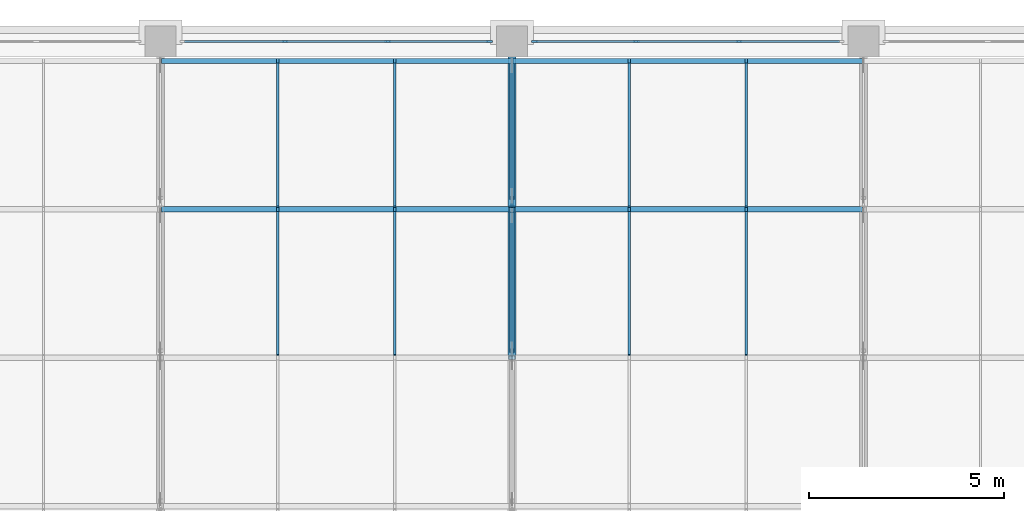
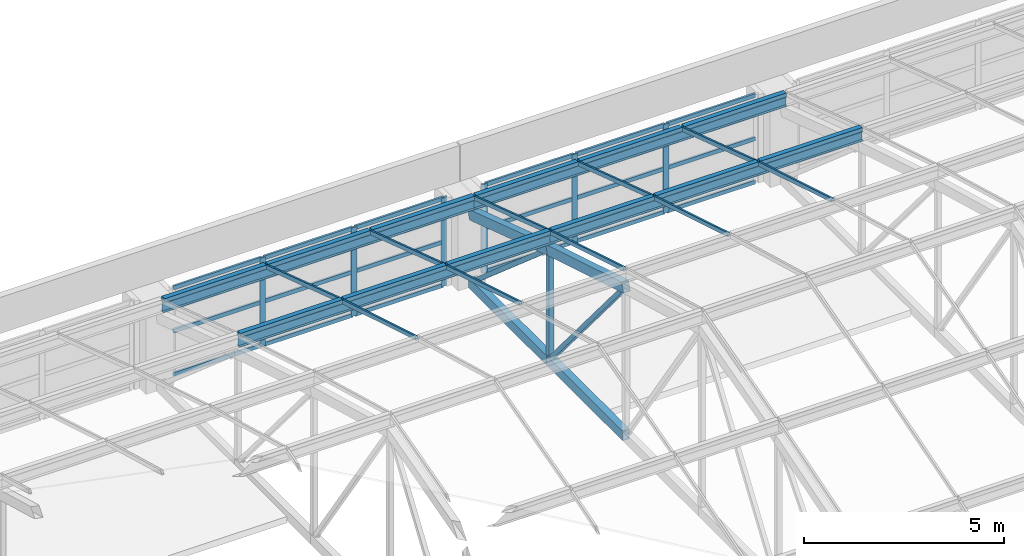
# One storey, part 15 of 82: 57 members, 3 elements without a shape of their own.
"""IFC4 building model written with IfcOpenShell, lengths in metres."""

import ifcopenshell
import ifcopenshell.guid

model = None  # the IFC model being written
_history = None  # IfcOwnerHistory: only IFC2X3 demands one
_inside = {}  # id of a spatial element -> (the spatial element, [elements in it])
_under = {}  # id of a project, library or spatial element -> (it, [spatial elements below it])
_declared = {}  # id of a project -> (the project, [libraries it declares])
_typed = {}  # id of a type object -> (the type object, [elements of that type])
_made_of = {}  # id of a material, layer set ... -> (it, [elements and type objects made of it])


def new_model(schema):
    """Start an empty IFC model of exactly this schema.

    Asked for "IFC4X3", IfcOpenShell would pick the latest addendum, in which some entities
    have other attributes; the version numbers below select the first issue.
    IFC2X3 requires an IfcOwnerHistory on every rooted entity: one is made here for all.
    """
    global model, _history
    if schema == "IFC4X3":
        model = ifcopenshell.file(schema_version=(4, 3, 0, 0))
    else:
        model = ifcopenshell.file(schema=schema)
    _inside.clear()
    _under.clear()
    _declared.clear()
    _typed.clear()
    _made_of.clear()
    _history = None
    if model.schema == "IFC2X3":
        org = make("IfcOrganization", Name="unknown")
        user = make(
            "IfcPersonAndOrganization",
            ThePerson=make("IfcPerson", FamilyName="unknown"),
            TheOrganization=org,
        )
        app = make(
            "IfcApplication",
            ApplicationDeveloper=org,
            Version="unknown",
            ApplicationFullName="unknown",
            ApplicationIdentifier="unknown",
        )
        _history = make(
            "IfcOwnerHistory",
            OwningUser=user,
            OwningApplication=app,
            ChangeAction="ADDED",
            CreationDate=0,
        )
    return model


def make(cls, **values):
    """One entity of the class cls with the attributes given. An attribute that is None is left unset."""
    return model.create_entity(
        cls, **{name: value for name, value in values.items() if value is not None}
    )


def rooted(cls, **values):
    """An entity with a GlobalId (a new one), such as an element, a storey or a relation."""
    return make(cls, GlobalId=ifcopenshell.guid.new(), OwnerHistory=_history, **values)


def si_unit(unit_type, name, prefix=None):
    """IfcSIUnit, for example si_unit("LENGTHUNIT", "METRE", prefix="MILLI")."""
    return make("IfcSIUnit", UnitType=unit_type, Prefix=prefix, Name=name)


def assignment(units):
    """IfcUnitAssignment: the units of a project."""
    return None if units is None else make("IfcUnitAssignment", Units=units)


def point(xyz):
    """IfcCartesianPoint."""
    return None if xyz is None else make("IfcCartesianPoint", Coordinates=xyz)


def direction(xyz):
    """IfcDirection."""
    return None if xyz is None else make("IfcDirection", DirectionRatios=xyz)


def frame(location, z_axis=None, x_axis=None):
    """IfcAxis2Placement3D, a coordinate frame: its origin and axes. An axis left out is left unset."""
    return make(
        "IfcAxis2Placement3D",
        Location=point(location),
        Axis=direction(z_axis),
        RefDirection=direction(x_axis),
    )


def frame_2d(location, x_axis=None):
    """IfcAxis2Placement2D, a coordinate frame in the plane: its origin and x axis."""
    return make(
        "IfcAxis2Placement2D", Location=point(location), RefDirection=direction(x_axis)
    )


def origin():
    """The frame at (0, 0, 0) with its axes left unset."""
    return frame((0.0, 0.0, 0.0))


def origin_2d():
    """The frame at (0, 0) in the plane with its x axis left unset."""
    return frame_2d((0.0, 0.0))


def place(relative_to, where):
    """IfcLocalPlacement: puts the frame where relative to a parent placement (None: the world)."""
    return make(
        "IfcLocalPlacement", PlacementRelTo=relative_to, RelativePlacement=where
    )


def context(
    kind, dimensions, precision=None, world=None, true_north=None, identifier=None
):
    """IfcGeometricRepresentationContext, for example the 3D "Model" context."""
    return make(
        "IfcGeometricRepresentationContext",
        ContextIdentifier=identifier,
        ContextType=kind,
        CoordinateSpaceDimension=dimensions,
        Precision=precision,
        WorldCoordinateSystem=world,
        TrueNorth=true_north,
    )


def subcontext(parent, identifier, kind, view, scale=None):
    """IfcGeometricRepresentationSubContext, for example "Body" below "Model"."""
    return make(
        "IfcGeometricRepresentationSubContext",
        ContextIdentifier=identifier,
        ContextType=kind,
        ParentContext=parent,
        TargetScale=scale,
        TargetView=view,
    )


def project(units=None, contexts=None):
    """IfcProject with its units and contexts."""
    return rooted(
        "IfcProject",
        Name="project",
        RepresentationContexts=contexts,
        UnitsInContext=assignment(units),
    )


def spatial(cls, under=None, at=None, **own):
    """A site, building, storey or space (cls), placed at a placement, below another one or the project."""
    s = rooted(cls, ObjectPlacement=at, **own)
    if under is not None:
        _under.setdefault(under.id(), (under, []))[1].append(s)
    return s


def profile(cls, at=None, kind="AREA", **sizes):
    """A parametric profile (cls). Its sizes go by their IFC names, for example OverallWidth=200.0."""
    return make(cls, ProfileType=kind, Position=at, **sizes)


def rectangle(**sizes):
    """IfcRectangleProfileDef."""
    return profile("IfcRectangleProfileDef", **sizes)


def hollow_rectangle(**sizes):
    """IfcRectangleHollowProfileDef."""
    return profile("IfcRectangleHollowProfileDef", **sizes)


def i_section(**sizes):
    """IfcIShapeProfileDef."""
    return profile("IfcIShapeProfileDef", **sizes)


def extrude(swept, where, along, depth):
    """IfcExtrudedAreaSolid: the profile swept, set in the frame where, extruded along a direction by depth."""
    return make(
        "IfcExtrudedAreaSolid",
        SweptArea=swept,
        Position=where,
        ExtrudedDirection=direction(along),
        Depth=depth,
    )


def shape(context_of_items, identifier, shape_type, items):
    """IfcShapeRepresentation: the items that make up one representation, for example the "Body"."""
    return make(
        "IfcShapeRepresentation",
        ContextOfItems=context_of_items,
        RepresentationIdentifier=identifier,
        RepresentationType=shape_type,
        Items=items,
    )


def material(Name=None, Category=None):
    """IfcMaterial."""
    return make("IfcMaterial", Name=Name, Category=Category)


def material_profile(
    of_material, cross_section, Name=None, Category=None, Priority=None
):
    """IfcMaterialProfile: a cross section and its material."""
    return make(
        "IfcMaterialProfile",
        Name=Name,
        Material=of_material,
        Profile=cross_section,
        Priority=Priority,
        Category=Category,
    )


def profile_set(profiles, Name=None, composite=None):
    """IfcMaterialProfileSet."""
    return make(
        "IfcMaterialProfileSet",
        Name=Name,
        MaterialProfiles=profiles,
        CompositeProfile=composite,
    )


def made_of(thing, what):
    """Note that an element or type object is made of a material, layer set ...; save() writes the relation."""
    if what is not None:
        _made_of.setdefault(what.id(), (what, []))[1].append(thing)
    return thing


def type_object(cls, material=None, **own):
    """A type object (cls), such as IfcWallType, which elements share."""
    return made_of(rooted(cls, **own), material)


def element(
    cls,
    number,
    at=None,
    inside=None,
    cuts=None,
    type_object=None,
    material=None,
    context=None,
    identifier="Body",
    shape_type=None,
    held_by="IfcProductDefinitionShape",
    body=None,
    shapes=None,
    **own,
):
    """One element of the class cls, such as IfcWall. Its Tag is "e" and its number.

    at: its placement. inside: the storey or other place that contains it. cuts: it is an
    opening in that element (IfcRelVoidsElement). A single representation is given by context,
    identifier, shape_type and body (its items); several are given by shapes. held_by: the class
    of the entity that holds the representations. save() writes the other relations.
    """
    e = rooted(cls, Tag="e%d" % number, ObjectPlacement=at, **own)
    if body is not None:
        shapes = [shape(context, identifier, shape_type, body)]
    if shapes is not None:
        e.Representation = make(held_by, Representations=shapes)
    if inside is not None:
        _inside.setdefault(inside.id(), (inside, []))[1].append(e)
    if cuts is not None:
        rooted(
            "IfcRelVoidsElement", RelatingBuildingElement=cuts, RelatedOpeningElement=e
        )
    if type_object is not None:
        _typed.setdefault(type_object.id(), (type_object, []))[1].append(e)
    return made_of(e, material)


def aggregate(whole, parts):
    """IfcRelAggregates: a whole, such as a stair, and the parts it consists of."""
    return rooted("IfcRelAggregates", RelatingObject=whole, RelatedObjects=parts)


def save(model, path):
    """Write the relations noted so far, then the file.

    IfcRelAggregates (storeys below a building ...), IfcRelContainedInSpatialStructure (elements
    in a storey), IfcRelDefinesByType, IfcRelAssociatesMaterial and IfcRelDeclares: one each for
    every whole, place, type object, material and project.
    """
    for whole, parts in _under.values():
        aggregate(whole, parts)
    for where, things in _inside.values():
        rooted(
            "IfcRelContainedInSpatialStructure",
            RelatedElements=things,
            RelatingStructure=where,
        )
    for kind, things in _typed.values():
        rooted("IfcRelDefinesByType", RelatedObjects=things, RelatingType=kind)
    for what, things in _made_of.values():
        rooted("IfcRelAssociatesMaterial", RelatedObjects=things, RelatingMaterial=what)
    for by, libraries in _declared.values():
        rooted("IfcRelDeclares", RelatingContext=by, RelatedDefinitions=libraries)
    model.write(path)


model = new_model("IFC4")

# Units and contexts
model_context = context("Model", 3, precision=1e-05, world=origin(), true_north=direction((0.0, 1.0)))
body_context = subcontext(model_context, "Body", "Model", "MODEL_VIEW")
ifc_project = project(units=[si_unit("LENGTHUNIT", "METRE"), si_unit("AREAUNIT", "SQUARE_METRE"), si_unit("VOLUMEUNIT", "CUBIC_METRE"), si_unit("PLANEANGLEUNIT", "RADIAN"), si_unit("MASSUNIT", "GRAM", prefix="KILO")], contexts=[model_context])

# Site, building, storey
site_placement = place(None, origin())
site = spatial("IfcSite", under=ifc_project, at=site_placement, CompositionType="ELEMENT")
building_placement = place(site_placement, origin())
building = spatial("IfcBuilding", under=site, at=building_placement, Name="Aravalli Gate Trade Fair Centre", CompositionType="ELEMENT")
storey_placement = place(building_placement, frame((0.0, 0.0, 19.199951171875)))
storey = spatial("IfcBuildingStorey", under=building, at=storey_placement, Name="L04", CompositionType="ELEMENT", Elevation=19.199951171875)

# Curtain wall, members
ifc_material_1 = material(Name="Aluminium and glass", Category="aluminium")
curtain_wall_type_1 = type_object("IfcCurtainWallType", Name="Curtain wall 3000 module", PredefinedType="NOTDEFINED", material=ifc_material_1)
curtain_wall_1_placement = place(storey_placement, origin())
curtain_wall_1 = element("IfcCurtainWall", 1, at=curtain_wall_1_placement, inside=storey, type_object=curtain_wall_type_1, Name="Curtain wall north bay 5 L04", PredefinedType="NOTDEFINED")
ifc_material_2 = material(Name="Aluminium", Category="aluminium")
ifc_material_profile_1 = material_profile(ifc_material_2, rectangle(XDim=0.06005859375, YDim=0.159912109375, at=origin_2d()), Name="Concourse curtain wall mullion 60 x 160")
ifc_profile_set_1 = profile_set([ifc_material_profile_1], Name="Aluminium")
member_type_1 = type_object("IfcMemberType", Name="Concourse curtain wall mullion 60 x 160", PredefinedType="MULLION", material=ifc_profile_set_1)
member_1_placement = place(storey_placement, frame((45.183349609375, 133.0, 0.0), z_axis=(0.0, 0.0, 1.0), x_axis=(0.0, 1.0, 0.0)))
member_1 = element("IfcMember", 2, at=member_1_placement, type_object=member_type_1, Name="CW1 mullion 2", PredefinedType="MULLION", context=body_context, shape_type="SweptSolid", body=[
    extrude(rectangle(XDim=0.06005859375, YDim=0.159912109375, at=origin_2d()), origin(), (0.0, 0.0, 1.0), 2.699951171875),
])
member_2_placement = place(storey_placement, frame((47.816650390625, 133.0, 0.0), z_axis=(0.0, 0.0, 1.0), x_axis=(0.0, 1.0, 0.0)))
member_2 = element("IfcMember", 3, at=member_2_placement, type_object=member_type_1, Name="CW1 mullion 3", PredefinedType="MULLION", context=body_context, shape_type="SweptSolid", body=[
    extrude(rectangle(XDim=0.06005859375, YDim=0.159912109375, at=origin_2d()), origin(), (0.0, 0.0, 1.0), 2.699951171875),
])
member_3_placement = place(storey_placement, frame((50.419921875, 133.0, 0.0), z_axis=(0.0, 0.0, 1.0), x_axis=(0.0, 1.0, 0.0)))
member_3 = element("IfcMember", 4, at=member_3_placement, type_object=member_type_1, Name="CW1 mullion 4", PredefinedType="MULLION", context=body_context, shape_type="SweptSolid", body=[
    extrude(rectangle(XDim=0.06005859375, YDim=0.159912109375, at=origin_2d()), origin(), (0.0, 0.0, 1.0), 2.699951171875),
])

curtain_wall_2_placement = place(storey_placement, origin())
curtain_wall_2 = element("IfcCurtainWall", 5, at=curtain_wall_2_placement, inside=storey, type_object=curtain_wall_type_1, Name="Curtain wall north bay 6 L04", PredefinedType="NOTDEFINED")
member_4_placement = place(storey_placement, frame((51.580078125, 133.0, 0.0), z_axis=(0.0, 0.0, 1.0), x_axis=(0.0, 1.0, 0.0)))
member_4 = element("IfcMember", 6, at=member_4_placement, type_object=member_type_1, Name="CW1 mullion 1", PredefinedType="MULLION", context=body_context, shape_type="SweptSolid", body=[
    extrude(rectangle(XDim=0.06005859375, YDim=0.159912109375, at=origin_2d()), origin(), (0.0, 0.0, 1.0), 2.699951171875),
])
member_5_placement = place(storey_placement, frame((54.183349609375, 133.0, 0.0), z_axis=(0.0, 0.0, 1.0), x_axis=(0.0, 1.0, 0.0)))
member_5 = element("IfcMember", 7, at=member_5_placement, type_object=member_type_1, Name="CW1 mullion 2", PredefinedType="MULLION", context=body_context, shape_type="SweptSolid", body=[
    extrude(rectangle(XDim=0.06005859375, YDim=0.159912109375, at=origin_2d()), origin(), (0.0, 0.0, 1.0), 2.699951171875),
])
member_6_placement = place(storey_placement, frame((56.816650390625, 133.0, 0.0), z_axis=(0.0, 0.0, 1.0), x_axis=(0.0, 1.0, 0.0)))
member_6 = element("IfcMember", 8, at=member_6_placement, type_object=member_type_1, Name="CW1 mullion 3", PredefinedType="MULLION", context=body_context, shape_type="SweptSolid", body=[
    extrude(rectangle(XDim=0.06005859375, YDim=0.159912109375, at=origin_2d()), origin(), (0.0, 0.0, 1.0), 2.699951171875),
])

# Member
ifc_material_profile_2 = material_profile(ifc_material_2, rectangle(XDim=0.06005859375, YDim=0.1201171875, at=origin_2d()), Name="Concourse curtain wall transom 60 x 120")
ifc_profile_set_2 = profile_set([ifc_material_profile_2], Name="Aluminium")
member_type_2 = type_object("IfcMemberType", Name="Concourse curtain wall transom 60 x 120", PredefinedType="USERDEFINED", material=ifc_profile_set_2)
member_7_placement = place(storey_placement, frame((42.610107421875, 133.0, 0.030029296875), z_axis=(1.0, 0.0, 0.0), x_axis=(0.0, 1.0, 0.0)))
member_7 = element("IfcMember", 9, at=member_7_placement, type_object=member_type_2, Name="CW1 transom 1.1", ObjectType="TRANSOM", PredefinedType="USERDEFINED", context=body_context, shape_type="SweptSolid", body=[
    extrude(rectangle(XDim=0.06005859375, YDim=0.1201171875, at=origin_2d()), origin(), (0.0, 0.0, 1.0), 2.543212890625),
])

member_8_placement = place(storey_placement, frame((42.610107421875, 133.0, 1.35009765625), z_axis=(1.0, 0.0, 0.0), x_axis=(0.0, 1.0, 0.0)))
member_8 = element("IfcMember", 10, at=member_8_placement, type_object=member_type_2, Name="CW1 transom 1.2", ObjectType="TRANSOM", PredefinedType="USERDEFINED", context=body_context, shape_type="SweptSolid", body=[
    extrude(rectangle(XDim=0.06005859375, YDim=0.1201171875, at=origin_2d()), origin(), (0.0, 0.0, 1.0), 2.543212890625),
])

member_9_placement = place(storey_placement, frame((42.610107421875, 133.0, 2.670166015625), z_axis=(1.0, 0.0, 0.0), x_axis=(0.0, 1.0, 0.0)))
member_9 = element("IfcMember", 11, at=member_9_placement, type_object=member_type_2, Name="CW1 transom 1.3", ObjectType="TRANSOM", PredefinedType="USERDEFINED", context=body_context, shape_type="SweptSolid", body=[
    extrude(rectangle(XDim=0.06005859375, YDim=0.1201171875, at=origin_2d()), origin(), (0.0, 0.0, 1.0), 2.543212890625),
])

member_10_placement = place(storey_placement, frame((45.21337890625, 133.0, 0.030029296875), z_axis=(1.0, 0.0, 0.0), x_axis=(0.0, 1.0, 0.0)))
member_10 = element("IfcMember", 12, at=member_10_placement, type_object=member_type_2, Name="CW1 transom 2.1", ObjectType="TRANSOM", PredefinedType="USERDEFINED", context=body_context, shape_type="SweptSolid", body=[
    extrude(rectangle(XDim=0.06005859375, YDim=0.1201171875, at=origin_2d()), origin(), (0.0, 0.0, 1.0), 2.5732421875),
])

member_11_placement = place(storey_placement, frame((45.21337890625, 133.0, 1.35009765625), z_axis=(1.0, 0.0, 0.0), x_axis=(0.0, 1.0, 0.0)))
member_11 = element("IfcMember", 13, at=member_11_placement, type_object=member_type_2, Name="CW1 transom 2.2", ObjectType="TRANSOM", PredefinedType="USERDEFINED", context=body_context, shape_type="SweptSolid", body=[
    extrude(rectangle(XDim=0.06005859375, YDim=0.1201171875, at=origin_2d()), origin(), (0.0, 0.0, 1.0), 2.5732421875),
])

member_12_placement = place(storey_placement, frame((45.21337890625, 133.0, 2.670166015625), z_axis=(1.0, 0.0, 0.0), x_axis=(0.0, 1.0, 0.0)))
member_12 = element("IfcMember", 14, at=member_12_placement, type_object=member_type_2, Name="CW1 transom 2.3", ObjectType="TRANSOM", PredefinedType="USERDEFINED", context=body_context, shape_type="SweptSolid", body=[
    extrude(rectangle(XDim=0.06005859375, YDim=0.1201171875, at=origin_2d()), origin(), (0.0, 0.0, 1.0), 2.5732421875),
])

member_13_placement = place(storey_placement, frame((47.8466796875, 133.0, 0.030029296875), z_axis=(1.0, 0.0, 0.0), x_axis=(0.0, 1.0, 0.0)))
member_13 = element("IfcMember", 15, at=member_13_placement, type_object=member_type_2, Name="CW1 transom 3.1", ObjectType="TRANSOM", PredefinedType="USERDEFINED", context=body_context, shape_type="SweptSolid", body=[
    extrude(rectangle(XDim=0.06005859375, YDim=0.1201171875, at=origin_2d()), origin(), (0.0, 0.0, 1.0), 2.543212890625),
])

member_14_placement = place(storey_placement, frame((47.8466796875, 133.0, 1.35009765625), z_axis=(1.0, 0.0, 0.0), x_axis=(0.0, 1.0, 0.0)))
member_14 = element("IfcMember", 16, at=member_14_placement, type_object=member_type_2, Name="CW1 transom 3.2", ObjectType="TRANSOM", PredefinedType="USERDEFINED", context=body_context, shape_type="SweptSolid", body=[
    extrude(rectangle(XDim=0.06005859375, YDim=0.1201171875, at=origin_2d()), origin(), (0.0, 0.0, 1.0), 2.543212890625),
])

member_15_placement = place(storey_placement, frame((47.8466796875, 133.0, 2.670166015625), z_axis=(1.0, 0.0, 0.0), x_axis=(0.0, 1.0, 0.0)))
member_15 = element("IfcMember", 17, at=member_15_placement, type_object=member_type_2, Name="CW1 transom 3.3", ObjectType="TRANSOM", PredefinedType="USERDEFINED", context=body_context, shape_type="SweptSolid", body=[
    extrude(rectangle(XDim=0.06005859375, YDim=0.1201171875, at=origin_2d()), origin(), (0.0, 0.0, 1.0), 2.543212890625),
])

aggregate(curtain_wall_1, [member_1, member_2, member_3, member_7, member_8, member_9, member_10, member_11, member_12, member_13, member_14, member_15])

member_16_placement = place(storey_placement, frame((51.610107421875, 133.0, 0.030029296875), z_axis=(1.0, 0.0, 0.0), x_axis=(0.0, 1.0, 0.0)))
member_16 = element("IfcMember", 18, at=member_16_placement, type_object=member_type_2, Name="CW1 transom 1.1", ObjectType="TRANSOM", PredefinedType="USERDEFINED", context=body_context, shape_type="SweptSolid", body=[
    extrude(rectangle(XDim=0.06005859375, YDim=0.1201171875, at=origin_2d()), origin(), (0.0, 0.0, 1.0), 2.543212890625),
])

member_17_placement = place(storey_placement, frame((51.610107421875, 133.0, 1.35009765625), z_axis=(1.0, 0.0, 0.0), x_axis=(0.0, 1.0, 0.0)))
member_17 = element("IfcMember", 19, at=member_17_placement, type_object=member_type_2, Name="CW1 transom 1.2", ObjectType="TRANSOM", PredefinedType="USERDEFINED", context=body_context, shape_type="SweptSolid", body=[
    extrude(rectangle(XDim=0.06005859375, YDim=0.1201171875, at=origin_2d()), origin(), (0.0, 0.0, 1.0), 2.543212890625),
])

member_18_placement = place(storey_placement, frame((51.610107421875, 133.0, 2.670166015625), z_axis=(1.0, 0.0, 0.0), x_axis=(0.0, 1.0, 0.0)))
member_18 = element("IfcMember", 20, at=member_18_placement, type_object=member_type_2, Name="CW1 transom 1.3", ObjectType="TRANSOM", PredefinedType="USERDEFINED", context=body_context, shape_type="SweptSolid", body=[
    extrude(rectangle(XDim=0.06005859375, YDim=0.1201171875, at=origin_2d()), origin(), (0.0, 0.0, 1.0), 2.543212890625),
])

member_19_placement = place(storey_placement, frame((54.21337890625, 133.0, 0.030029296875), z_axis=(1.0, 0.0, 0.0), x_axis=(0.0, 1.0, 0.0)))
member_19 = element("IfcMember", 21, at=member_19_placement, type_object=member_type_2, Name="CW1 transom 2.1", ObjectType="TRANSOM", PredefinedType="USERDEFINED", context=body_context, shape_type="SweptSolid", body=[
    extrude(rectangle(XDim=0.06005859375, YDim=0.1201171875, at=origin_2d()), origin(), (0.0, 0.0, 1.0), 2.5732421875),
])

member_20_placement = place(storey_placement, frame((54.21337890625, 133.0, 1.35009765625), z_axis=(1.0, 0.0, 0.0), x_axis=(0.0, 1.0, 0.0)))
member_20 = element("IfcMember", 22, at=member_20_placement, type_object=member_type_2, Name="CW1 transom 2.2", ObjectType="TRANSOM", PredefinedType="USERDEFINED", context=body_context, shape_type="SweptSolid", body=[
    extrude(rectangle(XDim=0.06005859375, YDim=0.1201171875, at=origin_2d()), origin(), (0.0, 0.0, 1.0), 2.5732421875),
])

member_21_placement = place(storey_placement, frame((54.21337890625, 133.0, 2.670166015625), z_axis=(1.0, 0.0, 0.0), x_axis=(0.0, 1.0, 0.0)))
member_21 = element("IfcMember", 23, at=member_21_placement, type_object=member_type_2, Name="CW1 transom 2.3", ObjectType="TRANSOM", PredefinedType="USERDEFINED", context=body_context, shape_type="SweptSolid", body=[
    extrude(rectangle(XDim=0.06005859375, YDim=0.1201171875, at=origin_2d()), origin(), (0.0, 0.0, 1.0), 2.5732421875),
])

member_22_placement = place(storey_placement, frame((56.8466796875, 133.0, 0.030029296875), z_axis=(1.0, 0.0, 0.0), x_axis=(0.0, 1.0, 0.0)))
member_22 = element("IfcMember", 24, at=member_22_placement, type_object=member_type_2, Name="CW1 transom 3.1", ObjectType="TRANSOM", PredefinedType="USERDEFINED", context=body_context, shape_type="SweptSolid", body=[
    extrude(rectangle(XDim=0.06005859375, YDim=0.1201171875, at=origin_2d()), origin(), (0.0, 0.0, 1.0), 2.543212890625),
])

member_23_placement = place(storey_placement, frame((56.8466796875, 133.0, 1.35009765625), z_axis=(1.0, 0.0, 0.0), x_axis=(0.0, 1.0, 0.0)))
member_23 = element("IfcMember", 25, at=member_23_placement, type_object=member_type_2, Name="CW1 transom 3.2", ObjectType="TRANSOM", PredefinedType="USERDEFINED", context=body_context, shape_type="SweptSolid", body=[
    extrude(rectangle(XDim=0.06005859375, YDim=0.1201171875, at=origin_2d()), origin(), (0.0, 0.0, 1.0), 2.543212890625),
])

member_24_placement = place(storey_placement, frame((56.8466796875, 133.0, 2.670166015625), z_axis=(1.0, 0.0, 0.0), x_axis=(0.0, 1.0, 0.0)))
member_24 = element("IfcMember", 26, at=member_24_placement, type_object=member_type_2, Name="CW1 transom 3.3", ObjectType="TRANSOM", PredefinedType="USERDEFINED", context=body_context, shape_type="SweptSolid", body=[
    extrude(rectangle(XDim=0.06005859375, YDim=0.1201171875, at=origin_2d()), origin(), (0.0, 0.0, 1.0), 2.543212890625),
])

aggregate(curtain_wall_2, [member_4, member_5, member_6, member_16, member_17, member_18, member_19, member_20, member_21, member_22, member_23, member_24])

# Members
ifc_material_3 = material(Name="Steel E350", Category="steel")
ifc_material_profile_3 = material_profile(ifc_material_3, i_section(OverallWidth=0.139892578125, OverallDepth=0.300048828125, WebThickness=0.0078125, FlangeThickness=0.01318359375, at=origin_2d()), Name="ISMB 300")
ifc_profile_set_3 = profile_set([ifc_material_profile_3], Name="Steel E350")
member_type_3 = type_object("IfcMemberType", Name="ISMB 300 roof purlin", PredefinedType="PURLIN", material=ifc_profile_set_3)
for number, where, z_axis, x_axis, name in (
    (27, (42.0, 128.699951171875, 3.851318359375), (1.0, 0.0, 0.0), (0.0, 1.0, 0.0), "Vault purlin 05-06 F5"),
    (28, (42.0, 132.5, 2.60302734375), (1.0, 0.0, 0.0), (0.0, 1.0, 0.0), "Vault purlin 05-06 F6"),
    (29, (51.0, 128.699951171875, 3.851318359375), (1.0, 0.0, 0.0), (0.0, 1.0, 0.0), "Vault purlin 06-07 F5"),
    (30, (51.0, 132.5, 2.60302734375), (1.0, 0.0, 0.0), (0.0, 1.0, 0.0), "Vault purlin 06-07 F6"),
):
    element("IfcMember", number, at=place(storey_placement, frame(where, z_axis=z_axis, x_axis=x_axis)), inside=storey, type_object=member_type_3, Name=name, PredefinedType="PURLIN", context=body_context, shape_type="SweptSolid", body=[
        extrude(i_section(OverallWidth=0.139892578125, OverallDepth=0.300048828125, WebThickness=0.0078125, FlangeThickness=0.01318359375, at=origin_2d()), origin(), (0.0, 0.0, 1.0), 9.0),
    ])
ifc_material_profile_4 = material_profile(ifc_material_3, hollow_rectangle(XDim=0.199951171875, YDim=0.300048828125, WallThickness=0.011962890625, at=origin_2d()), Name="RHS 300x200x12")
ifc_profile_set_4 = profile_set([ifc_material_profile_4], Name="Steel E350")
member_type_4 = type_object("IfcMemberType", Name="RHS 300x200x12 CT1 truss chord", PredefinedType="CHORD", material=ifc_profile_set_4)
member_25_placement = place(storey_placement, frame((51.0, 124.89990234375, 4.67333984375), z_axis=(0.0, 0.957138110877, -0.289631898634), x_axis=(-1.0, 0.0, 0.0)))
element("IfcMember", 31, at=member_25_placement, inside=storey, type_object=member_type_4, Name="Concourse vault truss CT1 line 06 top chord T5", PredefinedType="CHORD", context=body_context, shape_type="SweptSolid", body=[
    extrude(hollow_rectangle(XDim=0.199951171875, YDim=0.300048828125, WallThickness=0.011962890625, at=origin_2d()), origin(), (0.0, 0.0, 1.0), 3.97021484375),
])
member_26_placement = place(storey_placement, frame((51.0, 124.89990234375, 0.150146484375), z_axis=(0.0, 1.0, 0.0), x_axis=(-1.0, 0.0, 0.0)))
element("IfcMember", 32, at=member_26_placement, inside=storey, type_object=member_type_4, Name="Concourse vault truss CT1 line 06 bottom chord B5", PredefinedType="CHORD", context=body_context, shape_type="SweptSolid", body=[
    extrude(hollow_rectangle(XDim=0.199951171875, YDim=0.300048828125, WallThickness=0.011962890625, at=origin_2d()), origin(), (0.0, 0.0, 1.0), 3.800048828125),
])
member_27_placement = place(storey_placement, frame((51.0, 128.699951171875, 3.522216796875), z_axis=(0.0, 0.949924628731, -0.312479118872), x_axis=(-1.0, 0.0, 0.0)))
element("IfcMember", 33, at=member_27_placement, inside=storey, type_object=member_type_4, Name="Concourse vault truss CT1 line 06 top chord T6", PredefinedType="CHORD", context=body_context, shape_type="SweptSolid", body=[
    extrude(hollow_rectangle(XDim=0.199951171875, YDim=0.300048828125, WallThickness=0.011962890625, at=origin_2d()), origin(), (0.0, 0.0, 1.0), 4.105712890625),
])
member_28_placement = place(storey_placement, frame((51.0, 128.699951171875, 0.150146484375), z_axis=(0.0, 1.0, 0.0), x_axis=(-1.0, 0.0, 0.0)))
element("IfcMember", 34, at=member_28_placement, inside=storey, type_object=member_type_4, Name="Concourse vault truss CT1 line 06 bottom chord B6", PredefinedType="CHORD", context=body_context, shape_type="SweptSolid", body=[
    extrude(hollow_rectangle(XDim=0.199951171875, YDim=0.300048828125, WallThickness=0.011962890625, at=origin_2d()), origin(), (0.0, 0.0, 1.0), 3.900146484375),
])
ifc_material_profile_5 = material_profile(ifc_material_3, hollow_rectangle(XDim=0.125, YDim=0.125, WallThickness=0.006103515625, at=origin_2d()), Name="SHS 125x125x6")
ifc_profile_set_5 = profile_set([ifc_material_profile_5], Name="Steel E350")
member_type_5 = type_object("IfcMemberType", Name="SHS 125x125x6 CT1 truss diagonal", PredefinedType="BRACE", material=ifc_profile_set_5)
member_29_placement = place(storey_placement, frame((51.0, 125.076416015625, 4.463134765625), z_axis=(0.0, 0.643253159982, -0.765653558845), x_axis=(-1.0, 0.0, 0.0)))
element("IfcMember", 35, at=member_29_placement, inside=storey, type_object=member_type_5, Name="Concourse vault truss CT1 line 06 diagonal D5", PredefinedType="BRACE", context=body_context, shape_type="SweptSolid", body=[
    extrude(hollow_rectangle(XDim=0.125, YDim=0.125, WallThickness=0.006103515625, at=origin_2d()), origin(), (0.0, 0.0, 1.0), 5.437255859375),
])
member_30_placement = place(storey_placement, frame((51.0, 128.994873046875, 3.267333984375), z_axis=(0.0, 0.756430814482, -0.654073713661), x_axis=(-1.0, 0.0, 0.0)))
element("IfcMember", 36, at=member_30_placement, inside=storey, type_object=member_type_5, Name="Concourse vault truss CT1 line 06 diagonal D6", PredefinedType="BRACE", context=body_context, shape_type="SweptSolid", body=[
    extrude(hollow_rectangle(XDim=0.125, YDim=0.125, WallThickness=0.006103515625, at=origin_2d()), origin(), (0.0, 0.0, 1.0), 4.53662109375),
])
ifc_material_profile_6 = material_profile(ifc_material_3, hollow_rectangle(XDim=0.14990234375, YDim=0.14990234375, WallThickness=0.006103515625, at=origin_2d()), Name="SHS 150x150x6")
ifc_profile_set_6 = profile_set([ifc_material_profile_6], Name="Steel E350")
member_type_6 = type_object("IfcMemberType", Name="SHS 150x150x6 CT1 truss post", PredefinedType="POST", material=ifc_profile_set_6)
member_31_placement = place(storey_placement, frame((51.0, 128.699951171875, 0.300048828125), z_axis=(0.0, 0.0, 1.0), x_axis=(1.0, 0.0, 0.0)))
element("IfcMember", 37, at=member_31_placement, inside=storey, type_object=member_type_6, Name="Concourse vault truss CT1 line 06 post V5", PredefinedType="POST", context=body_context, shape_type="SweptSolid", body=[
    extrude(hollow_rectangle(XDim=0.14990234375, YDim=0.14990234375, WallThickness=0.006103515625, at=origin_2d()), origin(), (0.0, 0.0, 1.0), 3.064208984375),
])
ifc_material_profile_7 = material_profile(ifc_material_2, rectangle(XDim=0.139892578125, YDim=0.1201171875, at=origin_2d()), Name="Vault fold cap 140 x 120")
ifc_profile_set_7 = profile_set([ifc_material_profile_7], Name="Aluminium")
member_type_7 = type_object("IfcMemberType", Name="Vault fold cap 140 x 120", PredefinedType="USERDEFINED", material=ifc_profile_set_7)
for number, where, z_axis, x_axis, name in (
    (38, (42.030029296875, 128.699951171875, 4.061279296875), (1.0, 0.0, 0.0), (0.0, 1.0, 0.0), "Vault fold cap w10.5"),
    (39, (42.030029296875, 132.5, 2.81298828125), (1.0, 0.0, 0.0), (0.0, 1.0, 0.0), "Vault fold cap w10.6"),
    (40, (45.030029296875, 128.699951171875, 4.061279296875), (1.0, 0.0, 0.0), (0.0, 1.0, 0.0), "Vault fold cap w11.5"),
    (41, (45.030029296875, 132.5, 2.81298828125), (1.0, 0.0, 0.0), (0.0, 1.0, 0.0), "Vault fold cap w11.6"),
    (42, (48.030029296875, 128.699951171875, 4.061279296875), (1.0, 0.0, 0.0), (0.0, 1.0, 0.0), "Vault fold cap w12.5"),
    (43, (48.030029296875, 132.5, 2.81298828125), (1.0, 0.0, 0.0), (0.0, 1.0, 0.0), "Vault fold cap w12.6"),
    (44, (51.030029296875, 128.699951171875, 4.061279296875), (1.0, 0.0, 0.0), (0.0, 1.0, 0.0), "Vault fold cap w13.5"),
    (45, (51.030029296875, 132.5, 2.81298828125), (1.0, 0.0, 0.0), (0.0, 1.0, 0.0), "Vault fold cap w13.6"),
    (46, (54.030029296875, 128.699951171875, 4.061279296875), (1.0, 0.0, 0.0), (0.0, 1.0, 0.0), "Vault fold cap w14.5"),
    (47, (54.030029296875, 132.5, 2.81298828125), (1.0, 0.0, 0.0), (0.0, 1.0, 0.0), "Vault fold cap w14.6"),
    (48, (57.030029296875, 128.699951171875, 4.061279296875), (1.0, 0.0, 0.0), (0.0, 1.0, 0.0), "Vault fold cap w15.5"),
    (49, (57.030029296875, 132.5, 2.81298828125), (1.0, 0.0, 0.0), (0.0, 1.0, 0.0), "Vault fold cap w15.6"),
):
    element("IfcMember", number, at=place(storey_placement, frame(where, z_axis=z_axis, x_axis=x_axis)), inside=storey, type_object=member_type_7, Name=name, ObjectType="FOLD CAP", PredefinedType="USERDEFINED", context=body_context, shape_type="SweptSolid", body=[
        extrude(rectangle(XDim=0.139892578125, YDim=0.1201171875, at=origin_2d()), origin(), (0.0, 0.0, 1.0), 2.93994140625),
    ])

# Curtain wall, members
curtain_wall_type_2 = type_object("IfcCurtainWallType", Name="Vault curtain wall, sloped glazing", PredefinedType="NOTDEFINED", material=ifc_material_1)
curtain_wall_3_placement = place(storey_placement, origin())
curtain_wall_3 = element("IfcCurtainWall", 50, at=curtain_wall_3_placement, inside=storey, type_object=curtain_wall_type_2, Name="Vault curtain wall w", PredefinedType="NOTDEFINED")
ifc_material_profile_8 = material_profile(ifc_material_2, rectangle(XDim=0.06005859375, YDim=0.1201171875, at=origin_2d()), Name="Vault glazing bar 60 x 120")
ifc_profile_set_8 = profile_set([ifc_material_profile_8], Name="Aluminium")
member_type_8 = type_object("IfcMemberType", Name="Vault glazing bar 60 x 120", PredefinedType="USERDEFINED", material=ifc_profile_set_8)
member_32_placement = place(storey_placement, frame((45.0, 124.969970703125, 5.166259765625), z_axis=(0.0, 0.957125834694, -0.289672464279), x_axis=(-1.0, 0.0, 0.0)))
member_32 = element("IfcMember", 51, at=member_32_placement, type_object=member_type_8, Name="Vault glazing bar w11.5", ObjectType="GLAZING BAR", PredefinedType="USERDEFINED", context=body_context, shape_type="SweptSolid", body=[
    extrude(rectangle(XDim=0.06005859375, YDim=0.1201171875, at=origin_2d()), origin(), (0.0, 0.0, 1.0), 3.823974609375),
])
member_33_placement = place(storey_placement, frame((45.0, 128.77001953125, 4.013916015625), z_axis=(0.0, 0.949930492103, -0.31246129388), x_axis=(-1.0, 0.0, 0.0)))
member_33 = element("IfcMember", 52, at=member_33_placement, type_object=member_type_8, Name="Vault glazing bar w11.6", ObjectType="GLAZING BAR", PredefinedType="USERDEFINED", context=body_context, shape_type="SweptSolid", body=[
    extrude(rectangle(XDim=0.06005859375, YDim=0.1201171875, at=origin_2d()), origin(), (0.0, 0.0, 1.0), 3.852783203125),
])
member_34_placement = place(storey_placement, frame((48.0, 124.969970703125, 5.166259765625), z_axis=(0.0, 0.957125834694, -0.289672464279), x_axis=(-1.0, 0.0, 0.0)))
member_34 = element("IfcMember", 53, at=member_34_placement, type_object=member_type_8, Name="Vault glazing bar w12.5", ObjectType="GLAZING BAR", PredefinedType="USERDEFINED", context=body_context, shape_type="SweptSolid", body=[
    extrude(rectangle(XDim=0.06005859375, YDim=0.1201171875, at=origin_2d()), origin(), (0.0, 0.0, 1.0), 3.823974609375),
])
member_35_placement = place(storey_placement, frame((48.0, 128.77001953125, 4.013916015625), z_axis=(0.0, 0.949930492103, -0.31246129388), x_axis=(-1.0, 0.0, 0.0)))
member_35 = element("IfcMember", 54, at=member_35_placement, type_object=member_type_8, Name="Vault glazing bar w12.6", ObjectType="GLAZING BAR", PredefinedType="USERDEFINED", context=body_context, shape_type="SweptSolid", body=[
    extrude(rectangle(XDim=0.06005859375, YDim=0.1201171875, at=origin_2d()), origin(), (0.0, 0.0, 1.0), 3.852783203125),
])
member_36_placement = place(storey_placement, frame((51.0, 124.969970703125, 5.166259765625), z_axis=(0.0, 0.957125834694, -0.289672464279), x_axis=(-1.0, 0.0, 0.0)))
member_36 = element("IfcMember", 55, at=member_36_placement, type_object=member_type_8, Name="Vault glazing bar w13.5", ObjectType="GLAZING BAR", PredefinedType="USERDEFINED", context=body_context, shape_type="SweptSolid", body=[
    extrude(rectangle(XDim=0.06005859375, YDim=0.1201171875, at=origin_2d()), origin(), (0.0, 0.0, 1.0), 3.823974609375),
])
member_37_placement = place(storey_placement, frame((51.0, 128.77001953125, 4.013916015625), z_axis=(0.0, 0.949930492103, -0.31246129388), x_axis=(-1.0, 0.0, 0.0)))
member_37 = element("IfcMember", 56, at=member_37_placement, type_object=member_type_8, Name="Vault glazing bar w13.6", ObjectType="GLAZING BAR", PredefinedType="USERDEFINED", context=body_context, shape_type="SweptSolid", body=[
    extrude(rectangle(XDim=0.06005859375, YDim=0.1201171875, at=origin_2d()), origin(), (0.0, 0.0, 1.0), 3.852783203125),
])
member_38_placement = place(storey_placement, frame((54.0, 124.969970703125, 5.166259765625), z_axis=(0.0, 0.957125834694, -0.289672464279), x_axis=(-1.0, 0.0, 0.0)))
member_38 = element("IfcMember", 57, at=member_38_placement, type_object=member_type_8, Name="Vault glazing bar w14.5", ObjectType="GLAZING BAR", PredefinedType="USERDEFINED", context=body_context, shape_type="SweptSolid", body=[
    extrude(rectangle(XDim=0.06005859375, YDim=0.1201171875, at=origin_2d()), origin(), (0.0, 0.0, 1.0), 3.823974609375),
])
member_39_placement = place(storey_placement, frame((54.0, 128.77001953125, 4.013916015625), z_axis=(0.0, 0.949930492103, -0.31246129388), x_axis=(-1.0, 0.0, 0.0)))
member_39 = element("IfcMember", 58, at=member_39_placement, type_object=member_type_8, Name="Vault glazing bar w14.6", ObjectType="GLAZING BAR", PredefinedType="USERDEFINED", context=body_context, shape_type="SweptSolid", body=[
    extrude(rectangle(XDim=0.06005859375, YDim=0.1201171875, at=origin_2d()), origin(), (0.0, 0.0, 1.0), 3.852783203125),
])
member_40_placement = place(storey_placement, frame((57.0, 124.969970703125, 5.166259765625), z_axis=(0.0, 0.957125834694, -0.289672464279), x_axis=(-1.0, 0.0, 0.0)))
member_40 = element("IfcMember", 59, at=member_40_placement, type_object=member_type_8, Name="Vault glazing bar w15.5", ObjectType="GLAZING BAR", PredefinedType="USERDEFINED", context=body_context, shape_type="SweptSolid", body=[
    extrude(rectangle(XDim=0.06005859375, YDim=0.1201171875, at=origin_2d()), origin(), (0.0, 0.0, 1.0), 3.823974609375),
])
member_41_placement = place(storey_placement, frame((57.0, 128.77001953125, 4.013916015625), z_axis=(0.0, 0.949930492103, -0.31246129388), x_axis=(-1.0, 0.0, 0.0)))
member_41 = element("IfcMember", 60, at=member_41_placement, type_object=member_type_8, Name="Vault glazing bar w15.6", ObjectType="GLAZING BAR", PredefinedType="USERDEFINED", context=body_context, shape_type="SweptSolid", body=[
    extrude(rectangle(XDim=0.06005859375, YDim=0.1201171875, at=origin_2d()), origin(), (0.0, 0.0, 1.0), 3.852783203125),
])
aggregate(curtain_wall_3, [member_32, member_33, member_34, member_35, member_36, member_37, member_38, member_39, member_40, member_41])

save(model, "model.ifc")
